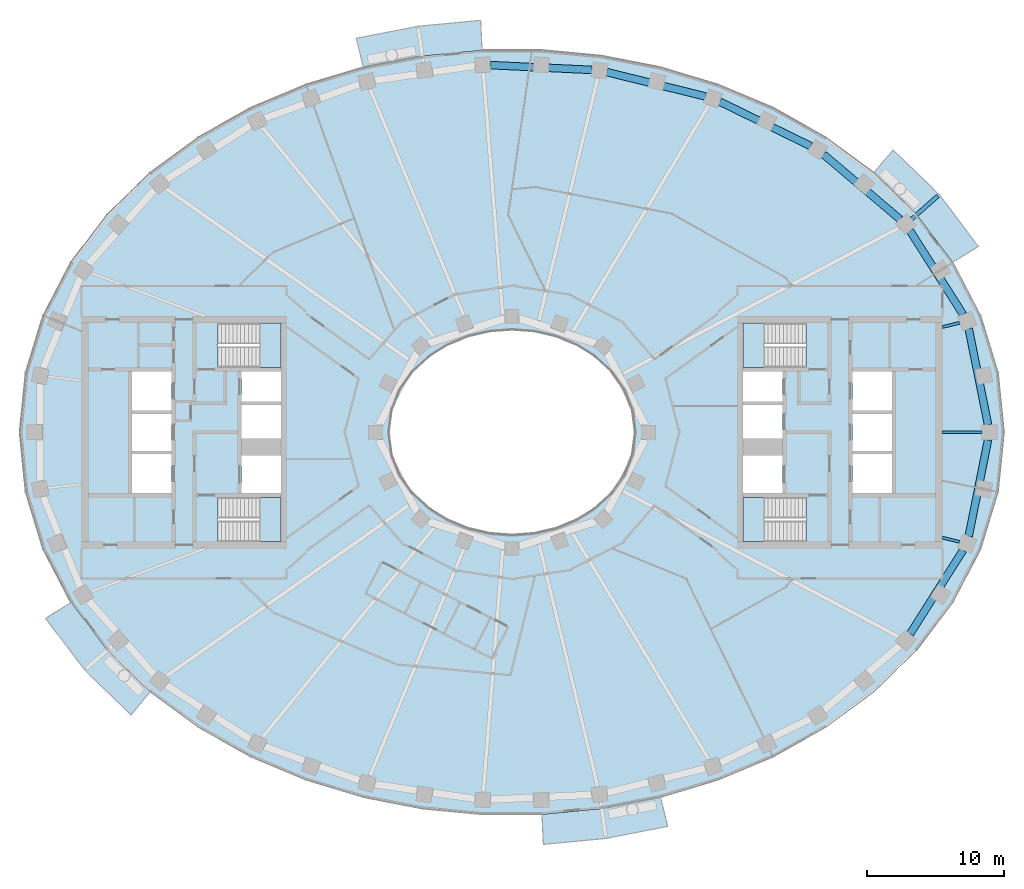
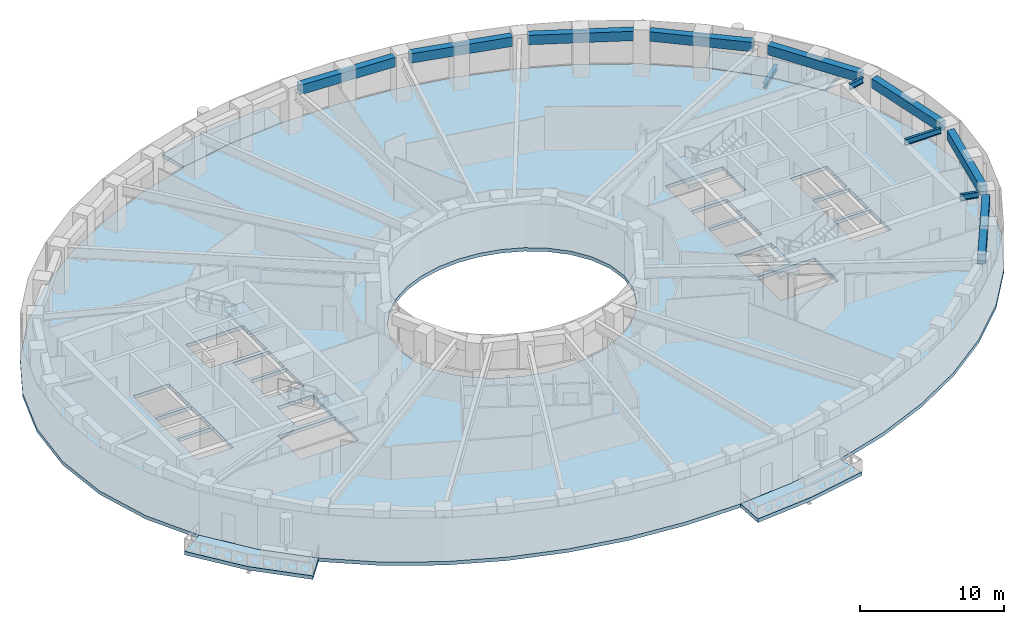
# One storey, part 2 of 16: 12 beams, 9 slabs, 4 elements without a shape of their own.
"""IFC4 building model written with IfcOpenShell, lengths in metres."""

from ifc_helpers import new_model, si_unit, direction, frame, origin, origin_2d, place, context, subcontext, project, spatial, polyline, rectangle, i_section, outline, extrude, material, layer, layer_set, material_profile, profile_set, type_object, element, aggregate, save


model = new_model("IFC4")

# Units and contexts
model_context = context("Model", 3, precision=1e-05, world=origin(), true_north=direction((0.0, 1.0)))
body_context = subcontext(model_context, "Body", "Model", "MODEL_VIEW")
ifc_project = project(units=[si_unit("LENGTHUNIT", "METRE"), si_unit("AREAUNIT", "SQUARE_METRE"), si_unit("VOLUMEUNIT", "CUBIC_METRE"), si_unit("PLANEANGLEUNIT", "RADIAN"), si_unit("MASSUNIT", "GRAM", prefix="KILO")], contexts=[model_context])

# Site, building, storey
site_placement = place(None, origin())
site = spatial("IfcSite", under=ifc_project, at=site_placement, CompositionType="ELEMENT")
building_placement = place(site_placement, origin())
building = spatial("IfcBuilding", under=site, at=building_placement, Name="Noorbagh Ring Tower", CompositionType="ELEMENT")
storey_placement = place(building_placement, frame((0.0, 0.0, 174.0)))
storey = spatial("IfcBuildingStorey", under=building, at=storey_placement, Name="L40", CompositionType="ELEMENT", Elevation=174.0)

# Beams
ifc_material_1 = material(Name="Steel S355", Category="steel")
ifc_material_profile_1 = material_profile(ifc_material_1, i_section(OverallWidth=0.300048828125, OverallDepth=0.39990234375, WebThickness=0.013427734375, FlangeThickness=0.02392578125, FilletRadius=0.027099609375, at=origin_2d()), Name="HEB400")
ifc_profile_set_1 = profile_set([ifc_material_profile_1], Name="Steel S355")
beam_type_1 = type_object("IfcBeamType", Name="STR-BALCONY-BRACKET-HEB400", PredefinedType="BEAM", material=ifc_profile_set_1)
beam_1_placement = place(storey_placement, frame((29.234619140625, 15.59814453125, -0.5), z_axis=(0.749031222735, 0.662534698992, 0.0), x_axis=(-0.662534698992, 0.749031222735, 0.0)))
element("IfcBeam", 1, at=beam_1_placement, inside=storey, type_object=beam_type_1, Name="Balcony bracket beam BN01", PredefinedType="BEAM", context=body_context, shape_type="SweptSolid", body=[
    extrude(i_section(OverallWidth=0.300048828125, OverallDepth=0.39990234375, WebThickness=0.013427734375, FlangeThickness=0.02392578125, FilletRadius=0.027099609375, at=origin_2d()), origin(), (0.0, 0.0, 1.0), 2.554443359375),
])
ifc_material_2 = material(Name="Steel S355", Category="steel")
ifc_material_profile_2 = material_profile(ifc_material_2, i_section(OverallWidth=0.199951171875, OverallDepth=0.5, WebThickness=0.01025390625, FlangeThickness=0.01611328125, FilletRadius=0.02099609375, at=origin_2d()), Name="IPE500")
ifc_profile_set_2 = profile_set([ifc_material_profile_2], Name="Steel S355")
beam_type_2 = type_object("IfcBeamType", Name="STR-RAD-IPE500", PredefinedType="BEAM", material=ifc_profile_set_2)
beam_2_placement = place(storey_placement, frame((34.3896484375, 0.0, 3.449951171875), z_axis=(-1.0, 0.0, 0.0), x_axis=(0.0, -1.0, 0.0)))
element("IfcBeam", 2, at=beam_2_placement, inside=storey, type_object=beam_type_2, Name="L40/bm/RD01", PredefinedType="BEAM", context=body_context, shape_type="SweptSolid", body=[
    extrude(i_section(OverallWidth=0.199951171875, OverallDepth=0.5, WebThickness=0.01025390625, FlangeThickness=0.01611328125, FilletRadius=0.02099609375, at=origin_2d()), origin(), (0.0, 0.0, 1.0), 2.90966796875),
])
for number, where, z_axis, x_axis, name in (
    (3, (32.759765625, 8.015869140625, 3.449951171875), (-0.971351477813, -0.237647441709, 0.0), (0.237647441709, -0.971351477813, 0.0), "L40/bm/RD03"),
    (4, (32.759765625, -8.015869140625, 3.449951171875), (-0.971351477813, 0.237647441709, 0.0), (-0.237647441709, -0.971351477813, 0.0), "L40/bm/RD45"),
):
    element("IfcBeam", number, at=place(storey_placement, frame(where, z_axis=z_axis, x_axis=x_axis)), inside=storey, type_object=beam_type_2, Name=name, PredefinedType="BEAM", context=body_context, shape_type="SweptSolid", body=[
        extrude(i_section(OverallWidth=0.199951171875, OverallDepth=0.5, WebThickness=0.01025390625, FlangeThickness=0.01611328125, FilletRadius=0.02099609375, at=origin_2d()), origin(), (0.0, 0.0, 1.0), 1.317138671875),
    ])
ifc_material_3 = material(Name="Concrete C40/50", Category="concrete")
ifc_material_profile_3 = material_profile(ifc_material_3, rectangle(XDim=0.550048828125, YDim=0.800048828125, at=origin_2d()), Name="RC550x800")
ifc_profile_set_3 = profile_set([ifc_material_profile_3], Name="Concrete C40/50")
beam_type_3 = type_object("IfcBeamType", Name="STR-SB-RC550x800-C40-50", PredefinedType="BEAM", material=ifc_profile_set_3)
beam_3_placement = place(storey_placement, frame((34.8330078125, 0.555419921875, 3.300048828125), z_axis=(-0.197234085058, 0.980356422783, 0.0), x_axis=(-0.980356422783, -0.197234085058, 0.0)))
element("IfcBeam", 5, at=beam_3_placement, inside=storey, type_object=beam_type_3, Name="L40/bm/SP01", PredefinedType="BEAM", context=body_context, shape_type="SweptSolid", body=[
    extrude(rectangle(XDim=0.550048828125, YDim=0.800048828125, at=origin_2d()), origin(), (0.0, 0.0, 1.0), 7.1806640625),
])
beam_4_placement = place(storey_placement, frame((33.00341796875, 8.625732421875, 3.300048828125), z_axis=(-0.535193751586, 0.844729334322, 0.0), x_axis=(-0.844729334322, -0.535193751586, 0.0)))
element("IfcBeam", 6, at=beam_4_placement, inside=storey, type_object=beam_type_3, Name="L40/bm/SP03", PredefinedType="BEAM", context=body_context, shape_type="SweptSolid", body=[
    extrude(rectangle(XDim=0.550048828125, YDim=0.800048828125, at=origin_2d()), origin(), (0.0, 0.0, 1.0), 7.25634765625),
])
beam_5_placement = place(storey_placement, frame((28.390869140625, 15.593017578125, 3.300048828125), z_axis=(-0.76302791951, 0.646365526656, 0.0), x_axis=(-0.646365526656, -0.76302791951, 0.0)))
element("IfcBeam", 7, at=beam_5_placement, inside=storey, type_object=beam_type_3, Name="L40/bm/SP05", PredefinedType="BEAM", context=body_context, shape_type="SweptSolid", body=[
    extrude(rectangle(XDim=0.550048828125, YDim=0.800048828125, at=origin_2d()), origin(), (0.0, 0.0, 1.0), 7.34130859375),
])
beam_6_placement = place(storey_placement, frame((21.85986328125, 20.945556640625, 3.300048828125), z_axis=(-0.898409236546, 0.439159246389, 0.0), x_axis=(-0.439159246389, -0.898409236546, 0.0)))
element("IfcBeam", 8, at=beam_6_placement, inside=storey, type_object=beam_type_3, Name="L40/bm/SP07", PredefinedType="BEAM", context=body_context, shape_type="SweptSolid", body=[
    extrude(rectangle(XDim=0.550048828125, YDim=0.800048828125, at=origin_2d()), origin(), (0.0, 0.0, 1.0), 7.400390625),
])
beam_7_placement = place(storey_placement, frame((14.167724609375, 24.57470703125, 3.300048828125), z_axis=(-0.970828249823, 0.239775956563, 0.0), x_axis=(-0.239775956563, -0.970828249823, 0.0)))
element("IfcBeam", 9, at=beam_7_placement, inside=storey, type_object=beam_type_3, Name="L40/bm/SP09", PredefinedType="BEAM", context=body_context, shape_type="SweptSolid", body=[
    extrude(rectangle(XDim=0.550048828125, YDim=0.800048828125, at=origin_2d()), origin(), (0.0, 0.0, 1.0), 7.433837890625),
])
beam_8_placement = place(storey_placement, frame((5.852294921875, 26.517333984375, 3.300048828125), z_axis=(-0.998867915197, 0.047569822271, 0.0), x_axis=(-0.047569822271, -0.998867915197, 0.0)))
element("IfcBeam", 10, at=beam_8_placement, inside=storey, type_object=beam_type_3, Name="L40/bm/SP11", PredefinedType="BEAM", context=body_context, shape_type="SweptSolid", body=[
    extrude(rectangle(XDim=0.550048828125, YDim=0.800048828125, at=origin_2d()), origin(), (0.0, 0.0, 1.0), 7.447021484375),
])
beam_9_placement = place(storey_placement, frame((29.119873046875, -14.75537109375, 3.300048828125), z_axis=(0.535193751586, 0.844729334322, 0.0), x_axis=(-0.844729334322, 0.535193751586, 0.0)))
element("IfcBeam", 11, at=beam_9_placement, inside=storey, type_object=beam_type_3, Name="L40/bm/SP43", PredefinedType="BEAM", context=body_context, shape_type="SweptSolid", body=[
    extrude(rectangle(XDim=0.550048828125, YDim=0.800048828125, at=origin_2d()), origin(), (0.0, 0.0, 1.0), 7.25634765625),
])
beam_10_placement = place(storey_placement, frame((33.416748046875, -7.594970703125, 3.300048828125), z_axis=(0.197234085058, 0.980356422783, 0.0), x_axis=(-0.980356422783, 0.197234085058, 0.0)))
element("IfcBeam", 12, at=beam_10_placement, inside=storey, type_object=beam_type_3, Name="L40/bm/SP45", PredefinedType="BEAM", context=body_context, shape_type="SweptSolid", body=[
    extrude(rectangle(XDim=0.550048828125, YDim=0.800048828125, at=origin_2d()), origin(), (0.0, 0.0, 1.0), 7.1806640625),
])

# Stair, slab
ifc_material_4 = material(Name="Concrete C40/50", Category="concrete")
stair_type = type_object("IfcStairType", Name="CORE-STAIR", PredefinedType="HALF_TURN_STAIR", material=ifc_material_4)
stair_1_placement = place(storey_placement, origin())
stair_1 = element("IfcStair", 13, at=stair_1_placement, inside=storey, type_object=stair_type, Name="L40 Exit stair ST1", PredefinedType="HALF_TURN_STAIR")
ifc_material_5 = material(Name="Concrete C40/50", Category="concrete")
ifc_layer_1 = layer(ifc_material_5, 0.300048828125)
ifc_layer_set_1 = layer_set([ifc_layer_1], Name="Concrete C40/50")
slab_type_1 = type_object("IfcSlabType", Name="CORE-STAIR-LANDING", PredefinedType="LANDING", material=ifc_layer_set_1)
slab_1_placement = place(storey_placement, frame((0.0, 0.0, 1.699951171875)))
slab_1 = element("IfcSlab", 14, at=slab_1_placement, type_object=slab_type_1, Name="ST1 landing 1", PredefinedType="LANDING", context=body_context, shape_type="SweptSolid", body=[
    extrude(outline(polyline([(-18.449951171875, 4.75), (-16.89990234375, 4.75), (-16.89990234375, 8.0), (-18.449951171875, 8.0), (-18.449951171875, 4.75)])), origin(), (0.0, 0.0, 1.0), 0.300048828125),
])
aggregate(stair_1, [slab_1])

stair_2_placement = place(storey_placement, origin())
stair_2 = element("IfcStair", 15, at=stair_2_placement, inside=storey, type_object=stair_type, Name="L40 Exit stair ST2", PredefinedType="HALF_TURN_STAIR")
slab_2_placement = place(storey_placement, frame((0.0, 0.0, 1.699951171875)))
slab_2 = element("IfcSlab", 16, at=slab_2_placement, type_object=slab_type_1, Name="ST2 landing 1", PredefinedType="LANDING", context=body_context, shape_type="SweptSolid", body=[
    extrude(outline(polyline([(-18.449951171875, -8.0), (-16.89990234375, -8.0), (-16.89990234375, -4.75), (-18.449951171875, -4.75), (-18.449951171875, -8.0)])), origin(), (0.0, 0.0, 1.0), 0.300048828125),
])
aggregate(stair_2, [slab_2])

stair_3_placement = place(storey_placement, origin())
stair_3 = element("IfcStair", 17, at=stair_3_placement, inside=storey, type_object=stair_type, Name="L40 Exit stair ST3", PredefinedType="HALF_TURN_STAIR")
slab_3_placement = place(storey_placement, frame((0.0, 0.0, 1.699951171875)))
slab_3 = element("IfcSlab", 18, at=slab_3_placement, type_object=slab_type_1, Name="ST3 landing 1", PredefinedType="LANDING", context=body_context, shape_type="SweptSolid", body=[
    extrude(outline(polyline([(18.449951171875, 8.0), (16.89990234375, 8.0), (16.89990234375, 4.75), (18.449951171875, 4.75), (18.449951171875, 8.0)])), origin(), (0.0, 0.0, 1.0), 0.300048828125),
])
aggregate(stair_3, [slab_3])

stair_4_placement = place(storey_placement, origin())
stair_4 = element("IfcStair", 19, at=stair_4_placement, inside=storey, type_object=stair_type, Name="L40 Exit stair ST4", PredefinedType="HALF_TURN_STAIR")
slab_4_placement = place(storey_placement, frame((0.0, 0.0, 1.699951171875)))
slab_4 = element("IfcSlab", 20, at=slab_4_placement, type_object=slab_type_1, Name="ST4 landing 1", PredefinedType="LANDING", context=body_context, shape_type="SweptSolid", body=[
    extrude(outline(polyline([(18.449951171875, -4.75), (16.89990234375, -4.75), (16.89990234375, -8.0), (18.449951171875, -8.0), (18.449951171875, -4.75)])), origin(), (0.0, 0.0, 1.0), 0.300048828125),
])
aggregate(stair_4, [slab_4])

# Slabs
ifc_material_6 = material(Name="Concrete C40/50", Category="concrete")
ifc_layer_2 = layer(ifc_material_6, 0.300048828125)
ifc_layer_set_2 = layer_set([ifc_layer_2], Name="Concrete C40/50")
slab_type_2 = type_object("IfcSlabType", Name="ENV-BALCONY DECK 300", PredefinedType="FLOOR", material=ifc_layer_set_2)
slab_5_placement = place(storey_placement, frame((0.0, 0.0, -0.300048828125)))
element("IfcSlab", 21, at=slab_5_placement, inside=storey, type_object=slab_type_2, Name="Tree balcony deck BN01", PredefinedType="FLOOR", context=body_context, shape_type="SweptSolid", body=[
    extrude(outline(polyline([(34.120361328125, 13.615966796875), (31.26025390625, 17.389892578125), (27.888671875, 20.665771484375), (26.463134765625, 18.983154296875), (29.607666015625, 15.92822265625), (32.255126953125, 12.434814453125), (34.120361328125, 13.615966796875)])), origin(), (0.0, 0.0, 1.0), 0.300048828125),
])
slab_6_placement = place(storey_placement, frame((0.0, 0.0, -0.300048828125)))
element("IfcSlab", 22, at=slab_6_placement, inside=storey, type_object=slab_type_2, Name="Tree balcony deck BN04", PredefinedType="FLOOR", context=body_context, shape_type="SweptSolid", body=[
    extrude(outline(polyline([(-2.2978515625, 30.14794921875), (-6.874755859375, 29.711181640625), (-11.3935546875, 28.832763671875), (-10.865234375, 26.6943359375), (-6.5595703125, 27.53125), (-2.193115234375, 27.947998046875), (-2.2978515625, 30.14794921875)])), origin(), (0.0, 0.0, 1.0), 0.300048828125),
])
slab_7_placement = place(storey_placement, frame((0.0, 0.0, -0.300048828125)))
element("IfcSlab", 23, at=slab_7_placement, inside=storey, type_object=slab_type_2, Name="Tree balcony deck BS01", PredefinedType="FLOOR", context=body_context, shape_type="SweptSolid", body=[
    extrude(outline(polyline([(-34.120361328125, -13.615966796875), (-31.26025390625, -17.389892578125), (-27.888671875, -20.665771484375), (-26.463134765625, -18.983154296875), (-29.607666015625, -15.92822265625), (-32.255126953125, -12.434814453125), (-34.120361328125, -13.615966796875)])), origin(), (0.0, 0.0, 1.0), 0.300048828125),
])
slab_8_placement = place(storey_placement, frame((0.0, 0.0, -0.300048828125)))
element("IfcSlab", 24, at=slab_8_placement, inside=storey, type_object=slab_type_2, Name="Tree balcony deck BS04", PredefinedType="FLOOR", context=body_context, shape_type="SweptSolid", body=[
    extrude(outline(polyline([(2.2978515625, -30.14794921875), (6.874755859375, -29.711181640625), (11.3935546875, -28.832763671875), (10.865234375, -26.6943359375), (6.5595703125, -27.53125), (2.193115234375, -27.947998046875), (2.2978515625, -30.14794921875)])), origin(), (0.0, 0.0, 1.0), 0.300048828125),
])
ifc_material_7 = material(Name="Concrete C40/50", Category="concrete")
ifc_layer_3 = layer(ifc_material_7, 0.300048828125)
ifc_layer_set_3 = layer_set([ifc_layer_3], Name="Concrete C40/50")
slab_type_3 = type_object("IfcSlabType", Name="STR-FLOOR-DECK-300", PredefinedType="FLOOR", material=ifc_layer_set_3)
slab_9_placement = place(storey_placement, frame((0.0, 0.0, -0.300048828125)))
element("IfcSlab", 25, at=slab_9_placement, inside=storey, type_object=slab_type_3, Name="L40/slab/1", PredefinedType="FLOOR", context=body_context, shape_type="SweptSolid", body=[
    extrude(outline(polyline([(36.0, 0.0), (35.56103515625, 4.358642578125), (34.281005859375, 8.548828125), (32.255126953125, 12.434814453125), (29.607666015625, 15.92822265625), (26.463134765625, 18.983154296875), (22.9326171875, 21.583740234375), (19.108154296875, 23.730224609375), (15.0654296875, 25.430419921875), (10.865234375, 26.6943359375), (6.5595703125, 27.53125), (2.193115234375, 27.947998046875), (-2.193115234375, 27.947998046875), (-6.5595703125, 27.53125), (-10.865234375, 26.6943359375), (-15.0654296875, 25.430419921875), (-19.108154296875, 23.730224609375), (-22.9326171875, 21.583740234375), (-26.463134765625, 18.983154296875), (-29.607666015625, 15.92822265625), (-32.255126953125, 12.434814453125), (-34.281005859375, 8.548828125), (-35.56103515625, 4.358642578125), (-36.0, 0.0), (-35.56103515625, -4.358642578125), (-34.281005859375, -8.548828125), (-32.255126953125, -12.434814453125), (-29.607666015625, -15.92822265625), (-26.463134765625, -18.983154296875), (-22.9326171875, -21.583740234375), (-19.108154296875, -23.730224609375), (-15.0654296875, -25.430419921875), (-10.865234375, -26.6943359375), (-6.5595703125, -27.53125), (-2.193115234375, -27.947998046875), (2.193115234375, -27.947998046875), (6.5595703125, -27.53125), (10.865234375, -26.6943359375), (15.0654296875, -25.430419921875), (19.108154296875, -23.730224609375), (22.9326171875, -21.583740234375), (26.463134765625, -18.983154296875), (29.607666015625, -15.92822265625), (32.255126953125, -12.434814453125), (34.281005859375, -8.548828125), (35.56103515625, -4.358642578125), (36.0, 0.0)]), holes=[polyline([(24.89990234375, 4.449951171875), (27.800048828125, 4.449951171875), (27.800048828125, 1.60009765625), (24.89990234375, 1.60009765625), (24.89990234375, 4.449951171875)]), polyline([(24.89990234375, 1.35009765625), (27.800048828125, 1.35009765625), (27.800048828125, -1.35009765625), (24.89990234375, -1.35009765625), (24.89990234375, 1.35009765625)]), polyline([(24.89990234375, -1.60009765625), (27.800048828125, -1.60009765625), (27.800048828125, -4.449951171875), (24.89990234375, -4.449951171875), (24.89990234375, -1.60009765625)]), polyline([(21.529541015625, -8.0), (16.89990234375, -8.0), (16.89990234375, -4.75), (21.529541015625, -4.75), (21.529541015625, -8.0)]), polyline([(16.89990234375, 4.75), (16.89990234375, 8.0), (21.529541015625, 8.0), (21.529541015625, 4.75), (16.89990234375, 4.75)]), polyline([(19.800048828125, 4.449951171875), (19.800048828125, 2.25), (16.89990234375, 2.25), (16.89990234375, 4.449951171875), (19.800048828125, 4.449951171875)]), polyline([(16.89990234375, 2.0), (19.800048828125, 2.0), (19.800048828125, -0.449951171875), (16.89990234375, -0.449951171875), (16.89990234375, 2.0)]), polyline([(16.89990234375, -1.699951171875), (19.800048828125, -1.699951171875), (19.800048828125, -4.449951171875), (16.89990234375, -4.449951171875), (16.89990234375, -1.699951171875)]), polyline([(4.697509765625, -6.3974609375), (3.196533203125, -7.010986328125), (1.6171875, -7.3779296875), (0.0, -7.5), (-1.6171875, -7.3779296875), (-3.196533203125, -7.010986328125), (-4.697509765625, -6.3974609375), (-6.071044921875, -5.53662109375), (-7.2587890625, -4.43408203125), (-8.1904296875, -3.10888671875), (-8.79150390625, -1.605224609375), (-9.0, 0.0), (-8.79150390625, 1.605224609375), (-8.1904296875, 3.10888671875), (-7.2587890625, 4.43408203125), (-6.071044921875, 5.53662109375), (-4.697509765625, 6.3974609375), (-3.196533203125, 7.010986328125), (-1.6171875, 7.3779296875), (0.0, 7.5), (1.6171875, 7.3779296875), (3.196533203125, 7.010986328125), (4.697509765625, 6.3974609375), (6.071044921875, 5.53662109375), (7.2587890625, 4.43408203125), (8.1904296875, 3.10888671875), (8.79150390625, 1.605224609375), (9.0, 0.0), (8.79150390625, -1.605224609375), (8.1904296875, -3.10888671875), (7.2587890625, -4.43408203125), (6.071044921875, -5.53662109375), (4.697509765625, -6.3974609375)]), polyline([(-16.89990234375, 2.25), (-19.800048828125, 2.25), (-19.800048828125, 4.449951171875), (-16.89990234375, 4.449951171875), (-16.89990234375, 2.25)]), polyline([(-16.89990234375, -0.449951171875), (-19.800048828125, -0.449951171875), (-19.800048828125, 2.0), (-16.89990234375, 2.0), (-16.89990234375, -0.449951171875)]), polyline([(-16.89990234375, -4.449951171875), (-19.800048828125, -4.449951171875), (-19.800048828125, -1.699951171875), (-16.89990234375, -1.699951171875), (-16.89990234375, -4.449951171875)]), polyline([(-21.529541015625, 8.0), (-16.89990234375, 8.0), (-16.89990234375, 4.75), (-21.529541015625, 4.75), (-21.529541015625, 8.0)]), polyline([(-21.529541015625, -4.75), (-16.89990234375, -4.75), (-16.89990234375, -8.0), (-21.529541015625, -8.0), (-21.529541015625, -4.75)]), polyline([(-24.89990234375, -4.449951171875), (-27.800048828125, -4.449951171875), (-27.800048828125, -1.60009765625), (-24.89990234375, -1.60009765625), (-24.89990234375, -4.449951171875)]), polyline([(-24.89990234375, 1.60009765625), (-27.800048828125, 1.60009765625), (-27.800048828125, 4.449951171875), (-24.89990234375, 4.449951171875), (-24.89990234375, 1.60009765625)]), polyline([(-24.89990234375, -1.35009765625), (-27.800048828125, -1.35009765625), (-27.800048828125, 1.35009765625), (-24.89990234375, 1.35009765625), (-24.89990234375, -1.35009765625)])]), origin(), (0.0, 0.0, 1.0), 0.300048828125),
])

save(model, "model.ifc")
